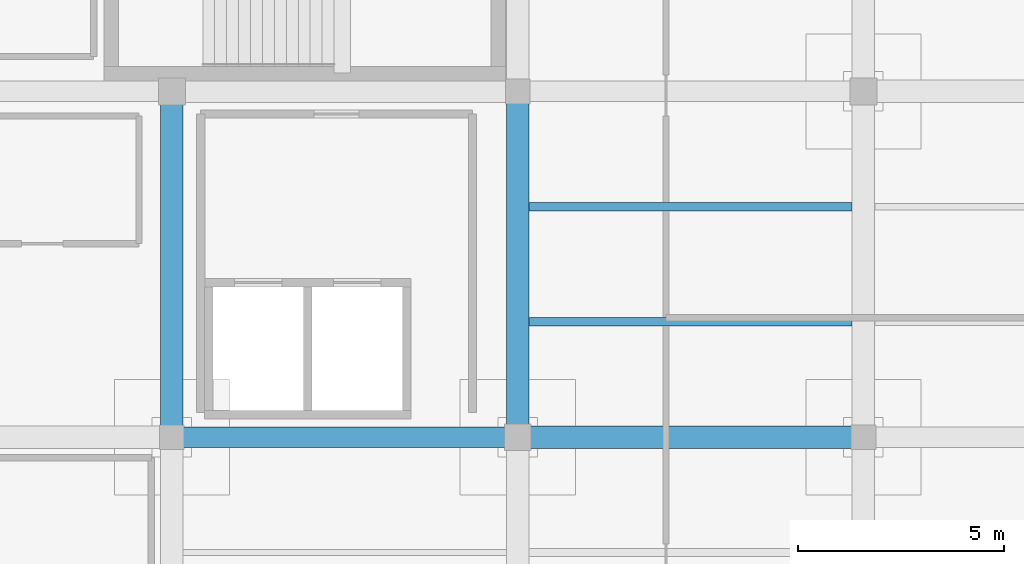
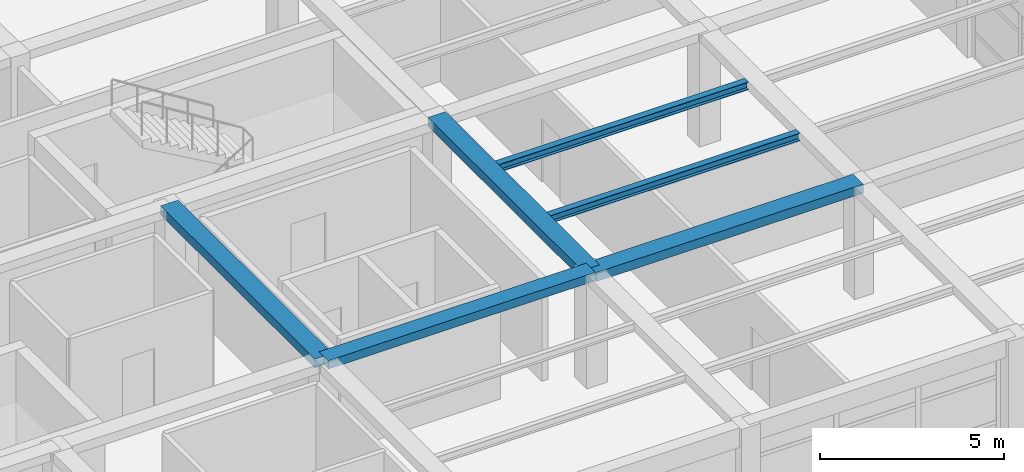
# One storey, part 8 of 26: 6 beams.
"""IFC4 building model written with IfcOpenShell, lengths in metres."""

from ifc_helpers import new_model, si_unit, direction, frame, origin, origin_2d, place, context, subcontext, project, spatial, rectangle, i_section, extrude, material, material_profile, profile_set, type_object, element, save


model = new_model("IFC4")

# Units and contexts
model_context = context("Model", 3, precision=1e-05, world=origin(), true_north=direction((0.0, 1.0)))
body_context = subcontext(model_context, "Body", "Model", "MODEL_VIEW")
ifc_project = project(units=[si_unit("LENGTHUNIT", "METRE"), si_unit("AREAUNIT", "SQUARE_METRE"), si_unit("VOLUMEUNIT", "CUBIC_METRE"), si_unit("PLANEANGLEUNIT", "RADIAN"), si_unit("MASSUNIT", "GRAM", prefix="KILO")], contexts=[model_context])

# Site, building, storey
site_placement = place(None, origin())
site = spatial("IfcSite", under=ifc_project, at=site_placement, CompositionType="ELEMENT")
building_placement = place(site_placement, origin())
building = spatial("IfcBuilding", under=site, at=building_placement, Name="Almacenes y Pasaje Nevantli", CompositionType="ELEMENT")
storey_placement = place(building_placement, frame((0.0, 0.0, 54.699951171875)))
storey = spatial("IfcBuildingStorey", under=building, at=storey_placement, Name="L13", CompositionType="ELEMENT", Elevation=54.699951171875)

# Beams
ifc_material_1 = material(Name="Concrete C35/45", Category="concrete")
ifc_material_profile_1 = material_profile(ifc_material_1, rectangle(XDim=0.5, YDim=0.280029296875, at=origin_2d()), Name="RC-BM-500x280")
ifc_profile_set_1 = profile_set([ifc_material_profile_1], Name="Concrete C35/45")
beam_type_1 = type_object("IfcBeamType", Name="BM-RC-500x280", PredefinedType="BEAM", material=ifc_profile_set_1)
beam_placement = place(storey_placement, frame((134.39990234375, 75.60009765625, 3.580078125), z_axis=(1.0, 0.0, 0.0), x_axis=(0.0, 1.0, 0.0)))
element("IfcBeam", 1, at=beam_placement, inside=storey, type_object=beam_type_1, Name="L13 East-West Reinforced Concrete Beam #3945", PredefinedType="BEAM", context=body_context, shape_type="SweptSolid", body=[
    extrude(rectangle(XDim=0.5, YDim=0.280029296875, at=origin_2d()), origin(), (0.0, 0.0, 1.0), 8.400146484375),
])
ifc_material_2 = material(Name="Concrete C35/45", Category="concrete")
ifc_material_profile_2 = material_profile(ifc_material_2, rectangle(XDim=0.550048828125, YDim=0.300048828125, at=origin_2d()), Name="RC-BM-550x300")
ifc_profile_set_2 = profile_set([ifc_material_profile_2], Name="Concrete C35/45")
beam_type_2 = type_object("IfcBeamType", Name="BM-RC-550x300", PredefinedType="BEAM", material=ifc_profile_set_2)
for number, where, z_axis, x_axis, name in (
    (2, (142.800048828125, 75.60009765625, 3.570068359375), (1.0, 0.0, 0.0), (0.0, 1.0, 0.0), "L13 East-West Reinforced Concrete Beam #3946"),
    (3, (134.39990234375, 75.60009765625, 3.570068359375), (0.0, 1.0, 0.0), (-1.0, 0.0, 0.0), "L13 North-South Reinforced Concrete Beam #3971"),
    (4, (142.800048828125, 75.60009765625, 3.570068359375), (0.0, 1.0, 0.0), (-1.0, 0.0, 0.0), "L13 North-South Reinforced Concrete Beam #3974"),
):
    element("IfcBeam", number, at=place(storey_placement, frame(where, z_axis=z_axis, x_axis=x_axis)), inside=storey, type_object=beam_type_2, Name=name, PredefinedType="BEAM", context=body_context, shape_type="SweptSolid", body=[
        extrude(rectangle(XDim=0.550048828125, YDim=0.300048828125, at=origin_2d()), origin(), (0.0, 0.0, 1.0), 8.39990234375),
    ])
ifc_material_3 = material(Name="Steel ASTM A992", Category="steel")
ifc_material_profile_3 = material_profile(ifc_material_3, i_section(OverallWidth=0.2041015625, OverallDepth=0.258056640625, WebThickness=0.008056640625, FlangeThickness=0.013427734375, at=origin_2d()), Name="IR 254x58.0")
ifc_profile_set_3 = profile_set([ifc_material_profile_3], Name="Steel ASTM A992")
beam_type_3 = type_object("IfcBeamType", Name="BM-STL-IR-254x58p0", PredefinedType="JOIST", material=ifc_profile_set_3)
for number, where, z_axis, x_axis, name in (
    (5, (143.074951171875, 78.39990234375, 3.5830078125), (1.0, 0.0, 0.0), (0.0, 1.0, 0.0), "L13 Secondary Steel Floor Joist #1579"),
    (6, (143.074951171875, 81.199951171875, 3.5830078125), (1.0, 0.0, 0.0), (0.0, 1.0, 0.0), "L13 Secondary Steel Floor Joist #1580"),
):
    element("IfcBeam", number, at=place(storey_placement, frame(where, z_axis=z_axis, x_axis=x_axis)), inside=storey, type_object=beam_type_3, Name=name, PredefinedType="JOIST", context=body_context, shape_type="SweptSolid", body=[
        extrude(i_section(OverallWidth=0.2041015625, OverallDepth=0.258056640625, WebThickness=0.008056640625, FlangeThickness=0.013427734375, at=origin_2d()), origin(), (0.0, 0.0, 1.0), 7.85009765625),
    ])

save(model, "model.ifc")
